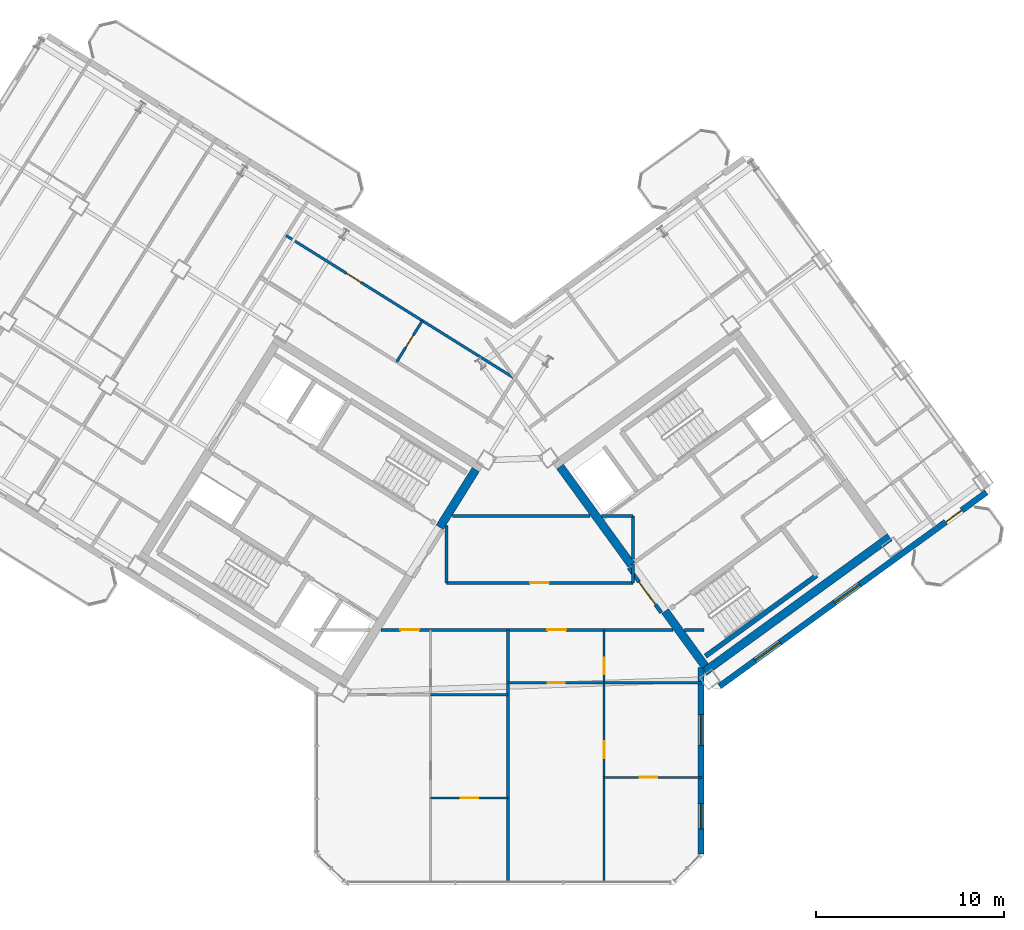
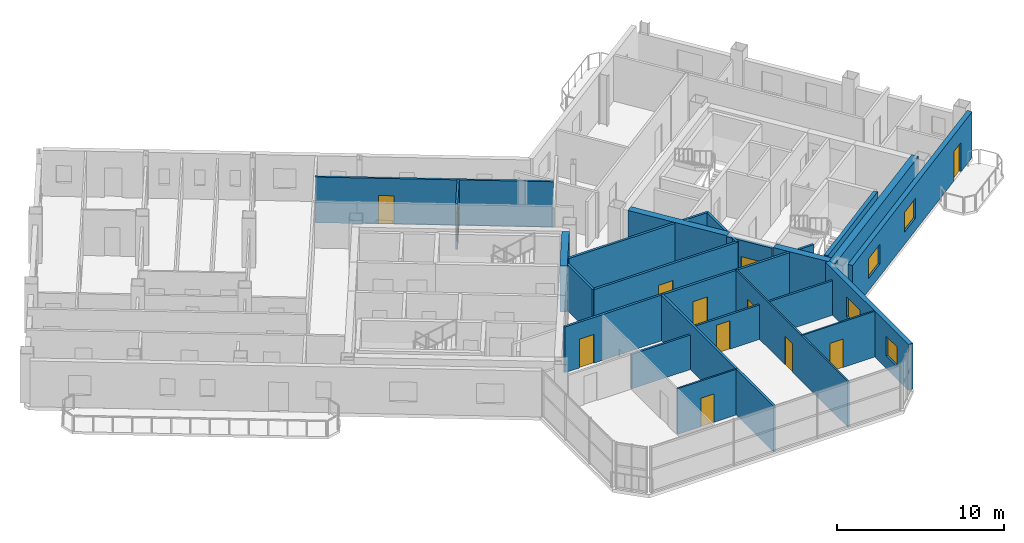
# One storey, part 13 of 20: 25 walls, 12 doors, 4 windows, 16 openings.
"""IFC4 building model written with IfcOpenShell, lengths in metres."""

from ifc_helpers import new_model, si_unit, direction, frame, frame_2d, origin, place, context, subcontext, project, spatial, rectangle, extrude, source, transform, mapped, material, layer, layer_set, type_object, element, fill, save


model = new_model("IFC4")

# Units and contexts
model_context = context("Model", 3, precision=1e-05, world=origin(), true_north=direction((0.0, 1.0)))
body_context = subcontext(model_context, "Body", "Model", "MODEL_VIEW")
ifc_project = project(units=[si_unit("LENGTHUNIT", "METRE"), si_unit("AREAUNIT", "SQUARE_METRE"), si_unit("VOLUMEUNIT", "CUBIC_METRE"), si_unit("PLANEANGLEUNIT", "RADIAN"), si_unit("MASSUNIT", "GRAM", prefix="KILO")], contexts=[model_context])

# Site, building, storey
site_placement = place(None, origin())
site = spatial("IfcSite", under=ifc_project, at=site_placement, CompositionType="ELEMENT")
building_placement = place(site_placement, origin())
building = spatial("IfcBuilding", under=site, at=building_placement, Name="Tlacorven Tower", CompositionType="ELEMENT")
storey_placement = place(building_placement, frame((0.0, 0.0, 225.60009765625)))
storey = spatial("IfcBuildingStorey", under=building, at=storey_placement, Name="L57", CompositionType="ELEMENT", Elevation=225.60009765625)

# Walls
ifc_material_1 = material(Name="Concrete C50/60", Category="concrete")
ifc_layer_1 = layer(ifc_material_1, 0.449951171875)
ifc_layer_set_1 = layer_set([ifc_layer_1], Name="Concrete C50/60")
wall_type_1 = type_object("IfcWallType", Name="WL-COR-450", PredefinedType="SHEAR", material=ifc_layer_set_1)
wall_1_placement = place(storey_placement, frame((40.220703125, 23.96484375, 0.0), z_axis=(0.0, 0.0, 1.0), x_axis=(-0.529902075036, -0.848058836916, 0.0)))
element("IfcWall", 1, at=wall_1_placement, inside=storey, type_object=wall_type_1, Name="L57 W core end wall E1.1", PredefinedType="SHEAR", context=body_context, shape_type="SweptSolid", body=[
    extrude(rectangle(XDim=3.625, YDim=0.449951171875, at=frame_2d((1.8125, 0.0))), origin(), (0.0, 0.0, 1.0), 3.349853515625),
])
wall_2_placement = place(storey_placement, frame((52.3994140625, 13.169189453125, 0.0), z_axis=(0.0, 0.0, 1.0), x_axis=(0.809022352778, 0.587777877013, 0.0)))
element("IfcWall", 2, at=wall_2_placement, inside=storey, type_object=wall_type_1, Name="L57 E core shear wall S1", PredefinedType="SHEAR", context=body_context, shape_type="SweptSolid", body=[
    extrude(rectangle(XDim=12.239990234375, YDim=0.449951171875, at=frame_2d((6.1201171875, 0.0))), origin(), (0.0, 0.0, 1.0), 3.349853515625),
])
wall_3_placement = place(storey_placement, frame((52.44921875, 13.4833984375, 0.0), z_axis=(0.0, 0.0, 1.0), x_axis=(-0.587819244441, 0.808992296542, 0.0)))
element("IfcWall", 3, at=wall_3_placement, inside=storey, type_object=wall_type_1, Name="L57 E core end wall E1.1", PredefinedType="SHEAR", context=body_context, shape_type="SweptSolid", body=[
    extrude(rectangle(XDim=3.625, YDim=0.449951171875, at=frame_2d((1.8125, 0.0))), origin(), (0.0, 0.0, 1.0), 3.349853515625),
])
wall_4_placement = place(storey_placement, frame((48.525634765625, 18.883544921875, 0.0), z_axis=(0.0, 0.0, 1.0), x_axis=(-0.587774812919, 0.809024578921, 0.0)))
element("IfcWall", 4, at=wall_4_placement, inside=storey, type_object=wall_type_1, Name="L57 E core end wall E1.2", PredefinedType="SHEAR", context=body_context, shape_type="SweptSolid", body=[
    extrude(rectangle(XDim=6.47509765625, YDim=0.449951171875, at=frame_2d((3.237548828125, 0.0))), origin(), (0.0, 0.0, 1.0), 3.349853515625),
])

# Wall, openings, doors
ifc_material_2 = material(Name="Gypsum plasterboard acoustic partition", Category="gypsum")
ifc_layer_2 = layer(ifc_material_2, 0.159912109375)
ifc_layer_set_2 = layer_set([ifc_layer_2], Name="Gypsum plasterboard acoustic partition")
wall_type_2 = type_object("IfcWallType", Name="WL-DEM-160", PredefinedType="PARTITIONING", material=ifc_layer_set_2)
wall_5_placement = place(storey_placement, frame((35.178466796875, 15.419921875, 0.0), z_axis=(0.0, 0.0, 1.0), x_axis=(1.0, 0.0, 0.0)))
wall_5 = element("IfcWall", 5, at=wall_5_placement, inside=storey, type_object=wall_type_2, Name="L57 Knuckle Corridor South Wall", PredefinedType="PARTITIONING", context=body_context, shape_type="SweptSolid", body=[
    extrude(rectangle(XDim=15.55224609375, YDim=0.159912109375, at=frame_2d((7.776123046875, 0.0))), origin(), (0.0, 0.0, 1.0), 3.33984375),
])
opening_1_placement = place(wall_5_placement, frame((1.028076171875, 0.0, 0.0)))
opening_1 = element("IfcOpeningElement", 6, at=opening_1_placement, cuts=wall_5, Name="Opening D11", PredefinedType="OPENING", context=body_context, shape_type="SweptSolid", body=[
    extrude(rectangle(XDim=1.0, YDim=2.10009765625, at=frame_2d((0.5, 1.050048828125))), frame((0.0, 0.08984375, 0.0), z_axis=(0.0, -1.0, 0.0), x_axis=(1.0, 0.0, 0.0)), (0.0, 0.0, 1.0), 0.179931640625),
])
opening_2_placement = place(wall_5_placement, frame((8.857666015625, 0.0, 0.0)))
opening_2 = element("IfcOpeningElement", 7, at=opening_2_placement, cuts=wall_5, Name="Opening D11", PredefinedType="OPENING", context=body_context, shape_type="SweptSolid", body=[
    extrude(rectangle(XDim=1.0, YDim=2.10009765625, at=frame_2d((0.5, 1.050048828125))), frame((0.0, 0.08984375, 0.0), z_axis=(0.0, -1.0, 0.0), x_axis=(1.0, 0.0, 0.0)), (0.0, 0.0, 1.0), 0.179931640625),
])
ifc_material_3 = material(Name="Fire-rated steel door assembly", Category="steel")
door_type_1 = type_object("IfcDoorType", Name="DR-FLT-FD60-1000", OperationType="NOTDEFINED", PredefinedType="DOOR", material=ifc_material_3)
shared_shape_1 = source(origin(), body_context, "Body", "SweptSolid", [
    extrude(rectangle(XDim=1.0, YDim=2.10009765625, at=frame_2d((0.5, 1.050048828125))), frame((0.0, 0.02490234375, 0.0), z_axis=(0.0, -1.0, 0.0), x_axis=(1.0, 0.0, 0.0)), (0.0, 0.0, 1.0), 0.050048828125),
])
door_1_placement = place(opening_1_placement, frame((1.0, 0.0, 0.0), z_axis=(0.0, 0.0, 1.0), x_axis=(-1.0, 0.0, 0.0)))
door_1 = element("IfcDoor", 8, at=door_1_placement, inside=storey, type_object=door_type_1, Name="L57 door 045", OperationType="SINGLE_SWING_LEFT", OverallHeight=2.10009765625, OverallWidth=1.0, PredefinedType="DOOR", context=body_context, shape_type="MappedRepresentation", body=[
    mapped(shared_shape_1, transform((0.0, 0.0, 0.0), scale=1.0)),
])
fill(opening_1, door_1)
door_2_placement = place(opening_2_placement, frame((1.0, 0.0, 0.0), z_axis=(0.0, 0.0, 1.0), x_axis=(-1.0, 0.0, 0.0)))
door_2 = element("IfcDoor", 9, at=door_2_placement, inside=storey, type_object=door_type_1, Name="L57 door 050", OperationType="SINGLE_SWING_RIGHT", OverallHeight=2.10009765625, OverallWidth=1.0, PredefinedType="DOOR", context=body_context, shape_type="MappedRepresentation", body=[
    mapped(shared_shape_1, transform((0.0, 0.0, 0.0), scale=1.0)),
])
fill(opening_2, door_2)

# Wall
wall_6_placement = place(storey_placement, frame((51.353515625, 15.419921875, 0.0), z_axis=(0.0, 0.0, 1.0), x_axis=(1.0, 0.0, 0.0)))
element("IfcWall", 10, at=wall_6_placement, inside=storey, type_object=wall_type_2, Name="L57 Knuckle Corridor South Wall", PredefinedType="PARTITIONING", context=body_context, shape_type="SweptSolid", body=[
    extrude(rectangle(XDim=1.04638671875, YDim=0.159912109375, at=frame_2d((0.523193359375, 0.0))), origin(), (0.0, 0.0, 1.0), 3.33984375),
])

# Wall, opening, door
wall_7_placement = place(storey_placement, frame((38.64990234375, 17.929931640625, 0.0), z_axis=(0.0, 0.0, 1.0), x_axis=(1.0, 0.0, 0.0)))
wall_7 = element("IfcWall", 11, at=wall_7_placement, inside=storey, type_object=wall_type_2, Name="L57 partition 63", PredefinedType="PARTITIONING", context=body_context, shape_type="SweptSolid", body=[
    extrude(rectangle(XDim=9.9501953125, YDim=0.159912109375, at=frame_2d((4.97509765625, 0.0))), origin(), (0.0, 0.0, 1.0), 3.33984375),
])
opening_3_placement = place(wall_7_placement, frame((4.47509765625, 0.0, 0.0)))
opening_3 = element("IfcOpeningElement", 12, at=opening_3_placement, cuts=wall_7, Name="Opening D11", PredefinedType="OPENING", context=body_context, shape_type="SweptSolid", body=[
    extrude(rectangle(XDim=1.0, YDim=2.10009765625, at=frame_2d((0.5, 1.050048828125))), frame((0.0, 0.08984375, 0.0), z_axis=(0.0, -1.0, 0.0), x_axis=(1.0, 0.0, 0.0)), (0.0, 0.0, 1.0), 0.179931640625),
])
door_3_placement = place(opening_3_placement, origin())
door_3 = element("IfcDoor", 13, at=door_3_placement, inside=storey, type_object=door_type_1, Name="L57 door 040", OperationType="SINGLE_SWING_RIGHT", OverallHeight=2.10009765625, OverallWidth=1.0, PredefinedType="DOOR", context=body_context, shape_type="MappedRepresentation", body=[
    mapped(shared_shape_1, transform((0.0, 0.0, 0.0), scale=1.0)),
])
fill(opening_3, door_3)

# Walls
wall_8_placement = place(storey_placement, frame((38.64990234375, 17.929931640625, 0.0), z_axis=(0.0, 0.0, 1.0), x_axis=(0.0, 1.0, 0.0)))
element("IfcWall", 14, at=wall_8_placement, inside=storey, type_object=wall_type_2, Name="L57 partition 64", PredefinedType="PARTITIONING", context=body_context, shape_type="SweptSolid", body=[
    extrude(rectangle(XDim=3.045654296875, YDim=0.159912109375, at=frame_2d((1.52294921875, 0.0))), origin(), (0.0, 0.0, 1.0), 3.33984375),
])
wall_9_placement = place(storey_placement, frame((48.60009765625, 17.929931640625, 0.0), z_axis=(0.0, 0.0, 1.0), x_axis=(0.0, 1.0, 0.0)))
element("IfcWall", 15, at=wall_9_placement, inside=storey, type_object=wall_type_2, Name="L57 partition 65", PredefinedType="PARTITIONING", context=body_context, shape_type="SweptSolid", body=[
    extrude(rectangle(XDim=0.99267578125, YDim=0.159912109375, at=frame_2d((0.496337890625, 0.0))), origin(), (0.0, 0.0, 1.0), 3.33984375),
])
wall_10_placement = place(storey_placement, frame((48.60009765625, 19.2099609375, 0.0), z_axis=(0.0, 0.0, 1.0), x_axis=(0.0, 1.0, 0.0)))
element("IfcWall", 16, at=wall_10_placement, inside=storey, type_object=wall_type_2, Name="L57 partition 65", PredefinedType="PARTITIONING", context=body_context, shape_type="SweptSolid", body=[
    extrude(rectangle(XDim=2.2900390625, YDim=0.159912109375, at=frame_2d((1.14501953125, 0.0))), origin(), (0.0, 0.0, 1.0), 3.33984375),
])
wall_11_placement = place(storey_placement, frame((38.9775390625, 21.5, 0.0), z_axis=(0.0, 0.0, 1.0), x_axis=(1.0, 0.0, 0.0)))
element("IfcWall", 17, at=wall_11_placement, inside=storey, type_object=wall_type_2, Name="L57 partition 66", PredefinedType="PARTITIONING", context=body_context, shape_type="SweptSolid", body=[
    extrude(rectangle(XDim=7.335693359375, YDim=0.159912109375, at=frame_2d((3.66796875, 0.0))), origin(), (0.0, 0.0, 1.0), 3.33984375),
])
wall_12_placement = place(storey_placement, frame((46.936279296875, 21.5, 0.0), z_axis=(0.0, 0.0, 1.0), x_axis=(1.0, 0.0, 0.0)))
element("IfcWall", 18, at=wall_12_placement, inside=storey, type_object=wall_type_2, Name="L57 partition 66", PredefinedType="PARTITIONING", context=body_context, shape_type="SweptSolid", body=[
    extrude(rectangle(XDim=1.663818359375, YDim=0.159912109375, at=frame_2d((0.83203125, 0.0))), origin(), (0.0, 0.0, 1.0), 3.33984375),
])
wall_13_placement = place(storey_placement, frame((41.949951171875, 1.9599609375, 0.0), z_axis=(0.0, 0.0, 1.0), x_axis=(0.0, 1.0, 0.0)))
element("IfcWall", 19, at=wall_13_placement, inside=storey, type_object=wall_type_2, Name="L57 Knuckle Demising Wall 1", PredefinedType="PARTITIONING", context=body_context, shape_type="SweptSolid", body=[
    extrude(rectangle(XDim=13.4599609375, YDim=0.159912109375, at=frame_2d((6.72998046875, 0.0))), origin(), (0.0, 0.0, 1.0), 3.33984375),
])

# Wall, openings, door, windows
ifc_material_4 = material(Name="Precast concrete C45/55", Category="concrete")
ifc_layer_3 = layer(ifc_material_4, 0.320068359375)
ifc_layer_set_3 = layer_set([ifc_layer_3], Name="Precast concrete C45/55")
wall_type_3 = type_object("IfcWallType", Name="WL-EXT-320", PredefinedType="STANDARD", material=ifc_layer_set_3)
wall_14_placement = place(storey_placement, frame((67.45361328125, 22.746826171875, 0.0), z_axis=(0.0, 0.0, 1.0), x_axis=(-0.809021120468, -0.587779573171, 0.0)))
wall_14 = element("IfcWall", 20, at=wall_14_placement, inside=storey, type_object=wall_type_3, Name="L57 Masonry-Frame Recessed Facade Wall 6", PredefinedType="STANDARD", context=body_context, shape_type="SweptSolid", body=[
    extrude(rectangle(XDim=17.587646484375, YDim=0.320068359375, at=frame_2d((8.7939453125, 0.0))), origin(), (0.0, 0.0, 1.0), 3.349853515625),
])
opening_4_placement = place(wall_14_placement, frame((1.623779296875, 0.0, 0.0)))
opening_4 = element("IfcOpeningElement", 21, at=opening_4_placement, cuts=wall_14, Name="Opening D06", PredefinedType="OPENING", context=body_context, shape_type="SweptSolid", body=[
    extrude(rectangle(XDim=1.050048828125, YDim=2.14990234375, at=frame_2d((0.52490234375, 1.074951171875))), frame((0.0, 0.169921875, 0.0), z_axis=(0.0, -1.0, 0.0), x_axis=(1.0, 0.0, 0.0)), (0.0, 0.0, 1.0), 0.340087890625),
])
opening_5_placement = place(wall_14_placement, frame((8.34375, 0.0, 0.89990234375)))
opening_5 = element("IfcOpeningElement", 22, at=opening_5_placement, cuts=wall_14, Name="Opening WN07", PredefinedType="OPENING", context=body_context, shape_type="SweptSolid", body=[
    extrude(rectangle(XDim=1.64990234375, YDim=1.449951171875, at=frame_2d((0.824951171875, 0.72509765625))), frame((0.0, 0.169921875, 0.0), z_axis=(0.0, -1.0, 0.0), x_axis=(1.0, 0.0, 0.0)), (0.0, 0.0, 1.0), 0.340087890625),
])
opening_6_placement = place(wall_14_placement, frame((13.59375, 0.0, 0.89990234375)))
opening_6 = element("IfcOpeningElement", 23, at=opening_6_placement, cuts=wall_14, Name="Opening WN07", PredefinedType="OPENING", context=body_context, shape_type="SweptSolid", body=[
    extrude(rectangle(XDim=1.64990234375, YDim=1.449951171875, at=frame_2d((0.824951171875, 0.72509765625))), frame((0.0, 0.169921875, 0.0), z_axis=(0.0, -1.0, 0.0), x_axis=(1.0, 0.0, 0.0)), (0.0, 0.0, 1.0), 0.340087890625),
])
ifc_material_5 = material(Name="Powder-coated aluminium and timber door", Category="wood")
door_type_2 = type_object("IfcDoorType", Name="DR-EXT-BALC-1050", OperationType="NOTDEFINED", PredefinedType="DOOR", material=ifc_material_5)
shared_shape_2 = source(origin(), body_context, "Body", "SweptSolid", [
    extrude(rectangle(XDim=1.050048828125, YDim=2.14990234375, at=frame_2d((0.52490234375, 1.074951171875))), frame((0.0, 0.02490234375, 0.0), z_axis=(0.0, -1.0, 0.0), x_axis=(1.0, 0.0, 0.0)), (0.0, 0.0, 1.0), 0.050048828125),
])
door_4_placement = place(opening_4_placement, origin())
door_4 = element("IfcDoor", 24, at=door_4_placement, inside=storey, type_object=door_type_2, Name="L57 Outdoor Access Door BAL-L57-E-OUT", OperationType="SINGLE_SWING_LEFT", OverallHeight=2.14990234375, OverallWidth=1.050048828125, PredefinedType="DOOR", context=body_context, shape_type="MappedRepresentation", body=[
    mapped(shared_shape_2, transform((0.0, 0.0, 0.0), scale=1.0)),
])
fill(opening_4, door_4)
ifc_material_6 = material(Name="Dark solar low-E double glazing in anodised aluminium frame", Category="aluminium")
window_type_1 = type_object("IfcWindowType", Name="WN-APT-1650X1600", PartitioningType="SINGLE_PANEL", PredefinedType="WINDOW", material=ifc_material_6)
shared_shape_3 = source(origin(), body_context, "Body", "SweptSolid", [
    extrude(rectangle(XDim=1.64990234375, YDim=1.449951171875, at=frame_2d((0.824951171875, 0.72509765625))), frame((0.0, 0.030029296875, 0.0), z_axis=(0.0, -1.0, 0.0), x_axis=(1.0, 0.0, 0.0)), (0.0, 0.0, 1.0), 0.06005859375),
])
window_1_placement = place(opening_5_placement, origin())
window_1 = element("IfcWindow", 25, at=window_1_placement, inside=storey, type_object=window_type_1, Name="L57 Recessed Masonry-Frame Window L57-06.1", OverallHeight=1.449951171875, OverallWidth=1.64990234375, PartitioningType="SINGLE_PANEL", PredefinedType="WINDOW", context=body_context, shape_type="MappedRepresentation", body=[
    mapped(shared_shape_3, transform((0.0, 0.0, 0.0), scale=1.0)),
])
fill(opening_5, window_1)
window_2_placement = place(opening_6_placement, origin())
window_2 = element("IfcWindow", 26, at=window_2_placement, inside=storey, type_object=window_type_1, Name="L57 Recessed Masonry-Frame Window L57-06.2", OverallHeight=1.449951171875, OverallWidth=1.64990234375, PartitioningType="SINGLE_PANEL", PredefinedType="WINDOW", context=body_context, shape_type="MappedRepresentation", body=[
    mapped(shared_shape_3, transform((0.0, 0.0, 0.0), scale=1.0)),
])
fill(opening_6, window_2)

# Wall, openings, windows
wall_15_placement = place(storey_placement, frame((52.239990234375, 13.4140625, 0.0), z_axis=(0.0, 0.0, 1.0), x_axis=(0.0, -1.0, 0.0)))
wall_15 = element("IfcWall", 27, at=wall_15_placement, inside=storey, type_object=wall_type_3, Name="L57 Masonry-Frame Recessed Facade Wall 7", PredefinedType="STANDARD", context=body_context, shape_type="SweptSolid", body=[
    extrude(rectangle(XDim=9.94775390625, YDim=0.320068359375, at=frame_2d((4.973876953125, 0.0))), origin(), (0.0, 0.0, 1.0), 3.349853515625),
])
opening_7_placement = place(wall_15_placement, frame((2.521484375, 0.0, 0.89990234375)))
opening_7 = element("IfcOpeningElement", 28, at=opening_7_placement, cuts=wall_15, Name="Opening WN07", PredefinedType="OPENING", context=body_context, shape_type="SweptSolid", body=[
    extrude(rectangle(XDim=1.64990234375, YDim=1.449951171875, at=frame_2d((0.824951171875, 0.72509765625))), frame((0.0, 0.169921875, 0.0), z_axis=(0.0, -1.0, 0.0), x_axis=(1.0, 0.0, 0.0)), (0.0, 0.0, 1.0), 0.340087890625),
])
opening_8_placement = place(wall_15_placement, frame((7.25830078125, 0.0, 0.89990234375)))
opening_8 = element("IfcOpeningElement", 29, at=opening_8_placement, cuts=wall_15, Name="Opening WN08", PredefinedType="OPENING", context=body_context, shape_type="SweptSolid", body=[
    extrude(rectangle(XDim=1.35009765625, YDim=1.449951171875, at=frame_2d((0.675048828125, 0.72509765625))), frame((0.0, 0.169921875, 0.0), z_axis=(0.0, -1.0, 0.0), x_axis=(1.0, 0.0, 0.0)), (0.0, 0.0, 1.0), 0.340087890625),
])
window_3_placement = place(opening_7_placement, origin())
window_3 = element("IfcWindow", 30, at=window_3_placement, inside=storey, type_object=window_type_1, Name="L57 Recessed Masonry-Frame Window L57-07.1", OverallHeight=1.449951171875, OverallWidth=1.64990234375, PartitioningType="SINGLE_PANEL", PredefinedType="WINDOW", context=body_context, shape_type="MappedRepresentation", body=[
    mapped(shared_shape_3, transform((0.0, 0.0, 0.0), scale=1.0)),
])
fill(opening_7, window_3)
window_type_2 = type_object("IfcWindowType", Name="WN-APT-1350X1550", PartitioningType="SINGLE_PANEL", PredefinedType="WINDOW", material=ifc_material_6)
shared_shape_4 = source(origin(), body_context, "Body", "SweptSolid", [
    extrude(rectangle(XDim=1.35009765625, YDim=1.449951171875, at=frame_2d((0.675048828125, 0.72509765625))), frame((0.0, 0.030029296875, 0.0), z_axis=(0.0, -1.0, 0.0), x_axis=(1.0, 0.0, 0.0)), (0.0, 0.0, 1.0), 0.06005859375),
])
window_4_placement = place(opening_8_placement, origin())
window_4 = element("IfcWindow", 31, at=window_4_placement, inside=storey, type_object=window_type_2, Name="L57 Recessed Masonry-Frame Window L57-07.2", OverallHeight=1.449951171875, OverallWidth=1.35009765625, PartitioningType="SINGLE_PANEL", PredefinedType="WINDOW", context=body_context, shape_type="MappedRepresentation", body=[
    mapped(shared_shape_4, transform((0.0, 0.0, 0.0), scale=1.0)),
])
fill(opening_8, window_4)

# Wall, opening, door
ifc_material_7 = material(Name="Gypsum plasterboard partition", Category="gypsum")
ifc_layer_4 = layer(ifc_material_7, 0.110107421875)
ifc_layer_set_4 = layer_set([ifc_layer_4], Name="Gypsum plasterboard partition")
wall_type_4 = type_object("IfcWallType", Name="WL-INT-110", PredefinedType="PARTITIONING", material=ifc_layer_set_4)
wall_16_placement = place(storey_placement, frame((37.81298828125, 6.449951171875, 0.0), z_axis=(0.0, 0.0, 1.0), x_axis=(1.0, 0.0, 0.0)))
wall_16 = element("IfcWall", 32, at=wall_16_placement, inside=storey, type_object=wall_type_4, Name="L57 partition 72", PredefinedType="PARTITIONING", context=body_context, shape_type="SweptSolid", body=[
    extrude(rectangle(XDim=4.136962890625, YDim=0.110107421875, at=frame_2d((2.068359375, 0.0))), origin(), (0.0, 0.0, 1.0), 3.33984375),
])
opening_9_placement = place(wall_16_placement, frame((1.6083984375, 0.0, 0.0)))
opening_9 = element("IfcOpeningElement", 33, at=opening_9_placement, cuts=wall_16, Name="Opening D12", PredefinedType="OPENING", context=body_context, shape_type="SweptSolid", body=[
    extrude(rectangle(XDim=0.919921875, YDim=2.080078125, at=frame_2d((0.4599609375, 1.0400390625))), frame((0.0, 0.06494140625, 0.0), z_axis=(0.0, -1.0, 0.0), x_axis=(1.0, 0.0, 0.0)), (0.0, 0.0, 1.0), 0.130126953125),
])
door_type_3 = type_object("IfcDoorType", Name="DR-INT-ROOM-0920", OperationType="NOTDEFINED", PredefinedType="DOOR", material=ifc_material_5)
shared_shape_5 = source(origin(), body_context, "Body", "SweptSolid", [
    extrude(rectangle(XDim=0.919921875, YDim=2.080078125, at=frame_2d((0.4599609375, 1.0400390625))), frame((0.0, 0.02490234375, 0.0), z_axis=(0.0, -1.0, 0.0), x_axis=(1.0, 0.0, 0.0)), (0.0, 0.0, 1.0), 0.050048828125),
])
door_5_placement = place(opening_9_placement, origin())
door_5 = element("IfcDoor", 34, at=door_5_placement, inside=storey, type_object=door_type_3, Name="L57 door 044", OperationType="SINGLE_SWING_RIGHT", OverallHeight=2.080078125, OverallWidth=0.919921875, PredefinedType="DOOR", context=body_context, shape_type="MappedRepresentation", body=[
    mapped(shared_shape_5, transform((0.0, 0.0, 0.0), scale=1.0)),
])
fill(opening_9, door_5)

# Wall, openings, doors
wall_17_placement = place(storey_placement, frame((47.072021484375, 1.9599609375, 0.0), z_axis=(0.0, 0.0, 1.0), x_axis=(0.0, 1.0, 0.0)))
wall_17 = element("IfcWall", 35, at=wall_17_placement, inside=storey, type_object=wall_type_4, Name="L57 partition 73", PredefinedType="PARTITIONING", context=body_context, shape_type="SweptSolid", body=[
    extrude(rectangle(XDim=13.4599609375, YDim=0.110107421875, at=frame_2d((6.72998046875, 0.0))), origin(), (0.0, 0.0, 1.0), 3.33984375),
])
opening_10_placement = place(wall_17_placement, frame((6.60009765625, 0.0, 0.0)))
opening_10 = element("IfcOpeningElement", 36, at=opening_10_placement, cuts=wall_17, Name="Opening D12", PredefinedType="OPENING", context=body_context, shape_type="SweptSolid", body=[
    extrude(rectangle(XDim=0.919921875, YDim=2.080078125, at=frame_2d((0.4599609375, 1.0400390625))), frame((0.0, 0.06494140625, 0.0), z_axis=(0.0, -1.0, 0.0), x_axis=(1.0, 0.0, 0.0)), (0.0, 0.0, 1.0), 0.130126953125),
])
opening_11_placement = place(wall_17_placement, frame((11.10009765625, 0.0, 0.0)))
opening_11 = element("IfcOpeningElement", 37, at=opening_11_placement, cuts=wall_17, Name="Opening D13", PredefinedType="OPENING", context=body_context, shape_type="SweptSolid", body=[
    extrude(rectangle(XDim=0.8798828125, YDim=2.080078125, at=frame_2d((0.43994140625, 1.0400390625))), frame((0.0, 0.06494140625, 0.0), z_axis=(0.0, -1.0, 0.0), x_axis=(1.0, 0.0, 0.0)), (0.0, 0.0, 1.0), 0.130126953125),
])
door_type_4 = type_object("IfcDoorType", Name="DR-INT-WET-0880", OperationType="NOTDEFINED", PredefinedType="DOOR", material=ifc_material_5)
shared_shape_6 = source(origin(), body_context, "Body", "SweptSolid", [
    extrude(rectangle(XDim=0.8798828125, YDim=2.080078125, at=frame_2d((0.43994140625, 1.0400390625))), frame((0.0, 0.02490234375, 0.0), z_axis=(0.0, -1.0, 0.0), x_axis=(1.0, 0.0, 0.0)), (0.0, 0.0, 1.0), 0.050048828125),
])
door_6_placement = place(opening_11_placement, origin())
door_6 = element("IfcDoor", 38, at=door_6_placement, inside=storey, type_object=door_type_4, Name="L57 door 052", OperationType="SINGLE_SWING_RIGHT", OverallHeight=2.080078125, OverallWidth=0.8798828125, PredefinedType="DOOR", context=body_context, shape_type="MappedRepresentation", body=[
    mapped(shared_shape_6, transform((0.0, 0.0, 0.0), scale=1.0)),
])
fill(opening_11, door_6)
door_7_placement = place(opening_10_placement, origin())
door_7 = element("IfcDoor", 39, at=door_7_placement, inside=storey, type_object=door_type_3, Name="L57 door 048", OperationType="SINGLE_SWING_RIGHT", OverallHeight=2.080078125, OverallWidth=0.919921875, PredefinedType="DOOR", context=body_context, shape_type="MappedRepresentation", body=[
    mapped(shared_shape_5, transform((0.0, 0.0, 0.0), scale=1.0)),
])
fill(opening_10, door_7)

# Wall, opening, door
wall_18_placement = place(storey_placement, frame((47.072021484375, 7.550048828125, 0.0), z_axis=(0.0, 0.0, 1.0), x_axis=(1.0, 0.0, 0.0)))
wall_18 = element("IfcWall", 40, at=wall_18_placement, inside=storey, type_object=wall_type_4, Name="L57 partition 76", PredefinedType="PARTITIONING", context=body_context, shape_type="SweptSolid", body=[
    extrude(rectangle(XDim=5.18798828125, YDim=0.110107421875, at=frame_2d((2.593994140625, 0.0))), origin(), (0.0, 0.0, 1.0), 3.33984375),
])
opening_12_placement = place(wall_18_placement, frame((1.904052734375, 0.0, 0.0)))
opening_12 = element("IfcOpeningElement", 41, at=opening_12_placement, cuts=wall_18, Name="Opening D12", PredefinedType="OPENING", context=body_context, shape_type="SweptSolid", body=[
    extrude(rectangle(XDim=0.919921875, YDim=2.080078125, at=frame_2d((0.4599609375, 1.0400390625))), frame((0.0, 0.06494140625, 0.0), z_axis=(0.0, -1.0, 0.0), x_axis=(1.0, 0.0, 0.0)), (0.0, 0.0, 1.0), 0.130126953125),
])
door_8_placement = place(opening_12_placement, origin())
door_8 = element("IfcDoor", 42, at=door_8_placement, inside=storey, type_object=door_type_3, Name="L57 door 049", OperationType="SINGLE_SWING_LEFT", OverallHeight=2.080078125, OverallWidth=0.919921875, PredefinedType="DOOR", context=body_context, shape_type="MappedRepresentation", body=[
    mapped(shared_shape_5, transform((0.0, 0.0, 0.0), scale=1.0)),
])
fill(opening_12, door_8)

ifc_material_8 = material(Name="Moisture-resistant gypsum plumbing wall", Category="gypsum")
ifc_layer_5 = layer(ifc_material_8, 0.139892578125)
ifc_layer_set_5 = layer_set([ifc_layer_5], Name="Moisture-resistant gypsum plumbing wall")
wall_type_5 = type_object("IfcWallType", Name="WL-PLM-140", PredefinedType="PLUMBINGWALL", material=ifc_layer_set_5)
wall_19_placement = place(storey_placement, frame((42.226318359375, 28.872802734375, 0.0), z_axis=(0.0, 0.0, 1.0), x_axis=(-0.848049134363, 0.529917602752, 0.0)))
wall_19 = element("IfcWall", 43, at=wall_19_placement, inside=storey, type_object=wall_type_5, Name="L57 partition 59", PredefinedType="PLUMBINGWALL", context=body_context, shape_type="SweptSolid", body=[
    extrude(rectangle(XDim=14.300048828125, YDim=0.139892578125, at=frame_2d((7.14990234375, 0.0))), origin(), (0.0, 0.0, 1.0), 3.33984375),
])
opening_13_placement = place(wall_19_placement, frame((9.570068359375, 0.0, 0.0)))
opening_13 = element("IfcOpeningElement", 44, at=opening_13_placement, cuts=wall_19, Name="Opening D12", PredefinedType="OPENING", context=body_context, shape_type="SweptSolid", body=[
    extrude(rectangle(XDim=0.919921875, YDim=2.080078125, at=frame_2d((0.4599609375, 1.0400390625))), frame((0.0, 0.080078125, 0.0), z_axis=(0.0, -1.0, 0.0), x_axis=(1.0, 0.0, 0.0)), (0.0, 0.0, 1.0), 0.159912109375),
])
door_9_placement = place(opening_13_placement, origin())
door_9 = element("IfcDoor", 45, at=door_9_placement, inside=storey, type_object=door_type_3, Name="L57 door 038", OperationType="SINGLE_SWING_RIGHT", OverallHeight=2.080078125, OverallWidth=0.919921875, PredefinedType="DOOR", context=body_context, shape_type="MappedRepresentation", body=[
    mapped(shared_shape_5, transform((0.0, 0.0, 0.0), scale=1.0)),
])
fill(opening_13, door_9)

wall_20_placement = place(storey_placement, frame((37.37548828125, 31.904052734375, 0.0), z_axis=(0.0, 0.0, 1.0), x_axis=(-0.529913878929, -0.848051461244, 0.0)))
wall_20 = element("IfcWall", 46, at=wall_20_placement, inside=storey, type_object=wall_type_5, Name="L57 partition 60", PredefinedType="PLUMBINGWALL", context=body_context, shape_type="SweptSolid", body=[
    extrude(rectangle(XDim=2.580078125, YDim=0.139892578125, at=frame_2d((1.2900390625, 0.0))), origin(), (0.0, 0.0, 1.0), 3.33984375),
])
opening_14_placement = place(wall_20_placement, frame((0.89990234375, 0.0, 0.0)))
opening_14 = element("IfcOpeningElement", 47, at=opening_14_placement, cuts=wall_20, Name="Opening D22", PredefinedType="OPENING", context=body_context, shape_type="SweptSolid", body=[
    extrude(rectangle(XDim=0.780029296875, YDim=2.050048828125, at=frame_2d((0.39013671875, 1.02490234375))), frame((0.0, 0.080078125, 0.0), z_axis=(0.0, -1.0, 0.0), x_axis=(1.0, 0.0, 0.0)), (0.0, 0.0, 1.0), 0.159912109375),
])
door_type_5 = type_object("IfcDoorType", Name="DR-INT-WET-0780", OperationType="NOTDEFINED", PredefinedType="DOOR", material=ifc_material_5)
shared_shape_7 = source(origin(), body_context, "Body", "SweptSolid", [
    extrude(rectangle(XDim=0.780029296875, YDim=2.050048828125, at=frame_2d((0.39013671875, 1.02490234375))), frame((0.0, 0.02490234375, 0.0), z_axis=(0.0, -1.0, 0.0), x_axis=(1.0, 0.0, 0.0)), (0.0, 0.0, 1.0), 0.050048828125),
])
door_10_placement = place(opening_14_placement, origin())
door_10 = element("IfcDoor", 48, at=door_10_placement, inside=storey, type_object=door_type_5, Name="L57 door 039", OperationType="SINGLE_SWING_LEFT", OverallHeight=2.050048828125, OverallWidth=0.780029296875, PredefinedType="DOOR", context=body_context, shape_type="MappedRepresentation", body=[
    mapped(shared_shape_7, transform((0.0, 0.0, 0.0), scale=1.0)),
])
fill(opening_14, door_10)

# Wall
wall_21_placement = place(storey_placement, frame((37.81298828125, 11.949951171875, 0.0), z_axis=(0.0, 0.0, 1.0), x_axis=(1.0, 0.0, 0.0)))
element("IfcWall", 49, at=wall_21_placement, inside=storey, type_object=wall_type_5, Name="L57 partition 71", PredefinedType="PLUMBINGWALL", context=body_context, shape_type="SweptSolid", body=[
    extrude(rectangle(XDim=4.136962890625, YDim=0.139892578125, at=frame_2d((2.068359375, 0.0))), origin(), (0.0, 0.0, 1.0), 2.52490234375),
])

# Wall, opening, door
wall_22_placement = place(storey_placement, frame((41.949951171875, 12.60009765625, 0.0), z_axis=(0.0, 0.0, 1.0), x_axis=(1.0, 0.0, 0.0)))
wall_22 = element("IfcWall", 50, at=wall_22_placement, inside=storey, type_object=wall_type_5, Name="L57 partition 74", PredefinedType="PLUMBINGWALL", context=body_context, shape_type="SweptSolid", body=[
    extrude(rectangle(XDim=5.1220703125, YDim=0.139892578125, at=frame_2d((2.56103515625, 0.0))), origin(), (0.0, 0.0, 1.0), 2.52490234375),
])
opening_15_placement = place(wall_22_placement, frame((2.10107421875, 0.0, 0.0)))
opening_15 = element("IfcOpeningElement", 51, at=opening_15_placement, cuts=wall_22, Name="Opening D12", PredefinedType="OPENING", context=body_context, shape_type="SweptSolid", body=[
    extrude(rectangle(XDim=0.919921875, YDim=2.080078125, at=frame_2d((0.4599609375, 1.0400390625))), frame((0.0, 0.080078125, 0.0), z_axis=(0.0, -1.0, 0.0), x_axis=(1.0, 0.0, 0.0)), (0.0, 0.0, 1.0), 0.159912109375),
])
door_11_placement = place(opening_15_placement, frame((0.919921875, 0.0, 0.0), z_axis=(0.0, 0.0, 1.0), x_axis=(-1.0, 0.0, 0.0)))
door_11 = element("IfcDoor", 52, at=door_11_placement, inside=storey, type_object=door_type_3, Name="L57 door 051", OperationType="SINGLE_SWING_LEFT", OverallHeight=2.080078125, OverallWidth=0.919921875, PredefinedType="DOOR", context=body_context, shape_type="MappedRepresentation", body=[
    mapped(shared_shape_5, transform((0.0, 0.0, 0.0), scale=1.0)),
])
fill(opening_15, door_11)

# Wall
wall_23_placement = place(storey_placement, frame((47.072021484375, 12.60009765625, 0.0), z_axis=(0.0, 0.0, 1.0), x_axis=(1.0, 0.0, 0.0)))
element("IfcWall", 53, at=wall_23_placement, inside=storey, type_object=wall_type_5, Name="L57 partition 75", PredefinedType="PLUMBINGWALL", context=body_context, shape_type="SweptSolid", body=[
    extrude(rectangle(XDim=5.18798828125, YDim=0.139892578125, at=frame_2d((2.593994140625, 0.0))), origin(), (0.0, 0.0, 1.0), 2.52490234375),
])

# Wall, opening, door
ifc_material_9 = material(Name="Concrete C40/50", Category="concrete")
ifc_layer_6 = layer(ifc_material_9, 0.199951171875)
ifc_layer_set_6 = layer_set([ifc_layer_6], Name="Concrete C40/50")
wall_type_6 = type_object("IfcWallType", Name="WL-SHF-200", PredefinedType="STANDARD", material=ifc_layer_set_6)
wall_24_placement = place(storey_placement, frame((50.119140625, 16.3330078125, 0.0), z_axis=(0.0, 0.0, 1.0), x_axis=(-0.587749856981, 0.809042709391, 0.0)))
wall_24 = element("IfcWall", 54, at=wall_24_placement, inside=storey, type_object=wall_type_6, Name="L57 partition 67", PredefinedType="STANDARD", context=body_context, shape_type="SweptSolid", body=[
    extrude(rectangle(XDim=2.9599609375, YDim=0.199951171875, at=frame_2d((1.47998046875, 0.0))), origin(), (0.0, 0.0, 1.0), 3.33984375),
])
opening_16_placement = place(wall_24_placement, frame((0.530029296875, 0.0, 0.0)))
opening_16 = element("IfcOpeningElement", 55, at=opening_16_placement, cuts=wall_24, Name="Opening D10", PredefinedType="OPENING", context=body_context, shape_type="SweptSolid", body=[
    extrude(rectangle(XDim=1.5, YDim=2.14990234375, at=frame_2d((0.75, 1.074951171875))), frame((0.0, 0.10986328125, 0.0), z_axis=(0.0, -1.0, 0.0), x_axis=(1.0, 0.0, 0.0)), (0.0, 0.0, 1.0), 0.219970703125),
])
door_type_6 = type_object("IfcDoorType", Name="DR-LOB-FD60-1500", OperationType="DOUBLE_DOOR_SINGLE_SWING", PredefinedType="DOOR", material=ifc_material_3)
shared_shape_8 = source(origin(), body_context, "Body", "SweptSolid", [
    extrude(rectangle(XDim=1.5, YDim=2.14990234375, at=frame_2d((0.75, 1.074951171875))), frame((0.0, 0.02490234375, 0.0), z_axis=(0.0, -1.0, 0.0), x_axis=(1.0, 0.0, 0.0)), (0.0, 0.0, 1.0), 0.050048828125),
])
door_12_placement = place(opening_16_placement, frame((1.5, 0.0, 0.0), z_axis=(0.0, 0.0, 1.0), x_axis=(-1.0, 0.0, 0.0)))
door_12 = element("IfcDoor", 56, at=door_12_placement, inside=storey, type_object=door_type_6, Name="L57 door 042", OperationType="DOUBLE_DOOR_SINGLE_SWING", OverallHeight=2.14990234375, OverallWidth=1.5, PredefinedType="DOOR", context=body_context, shape_type="MappedRepresentation", body=[
    mapped(shared_shape_8, transform((0.0, 0.0, 0.0), scale=1.0)),
])
fill(opening_16, door_12)

# Wall
ifc_layer_7 = layer(ifc_material_1, 0.260009765625)
ifc_layer_set_7 = layer_set([ifc_layer_7], Name="Concrete C50/60")
wall_type_7 = type_object("IfcWallType", Name="WL-STW-260", PredefinedType="SHEAR", material=ifc_layer_set_7)
wall_25_placement = place(storey_placement, frame((52.47216796875, 14.01318359375, 0.0), z_axis=(0.0, 0.0, 1.0), x_axis=(0.809028366311, 0.587769599847, 0.0)))
element("IfcWall", 57, at=wall_25_placement, inside=storey, type_object=wall_type_7, Name="L57 Stair E2 Far Shear Wall", PredefinedType="SHEAR", context=body_context, shape_type="SweptSolid", body=[
    extrude(rectangle(XDim=7.330078125, YDim=0.260009765625, at=frame_2d((3.6650390625, 0.0))), origin(), (0.0, 0.0, 1.0), 3.349853515625),
])

save(model, "model.ifc")
